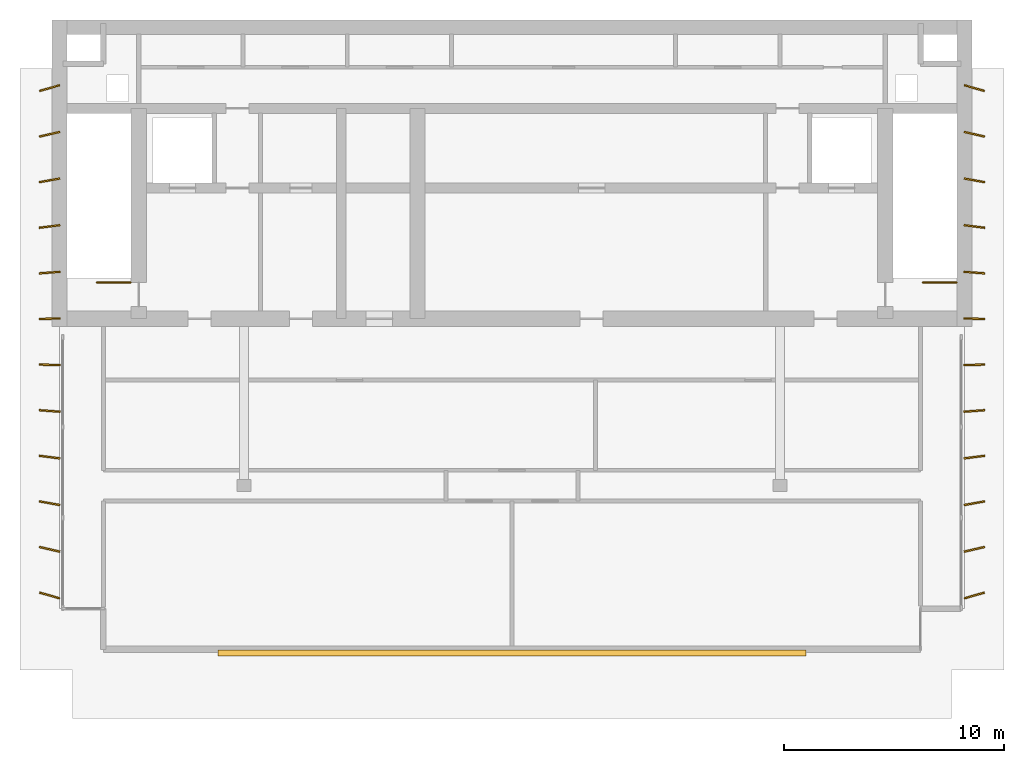
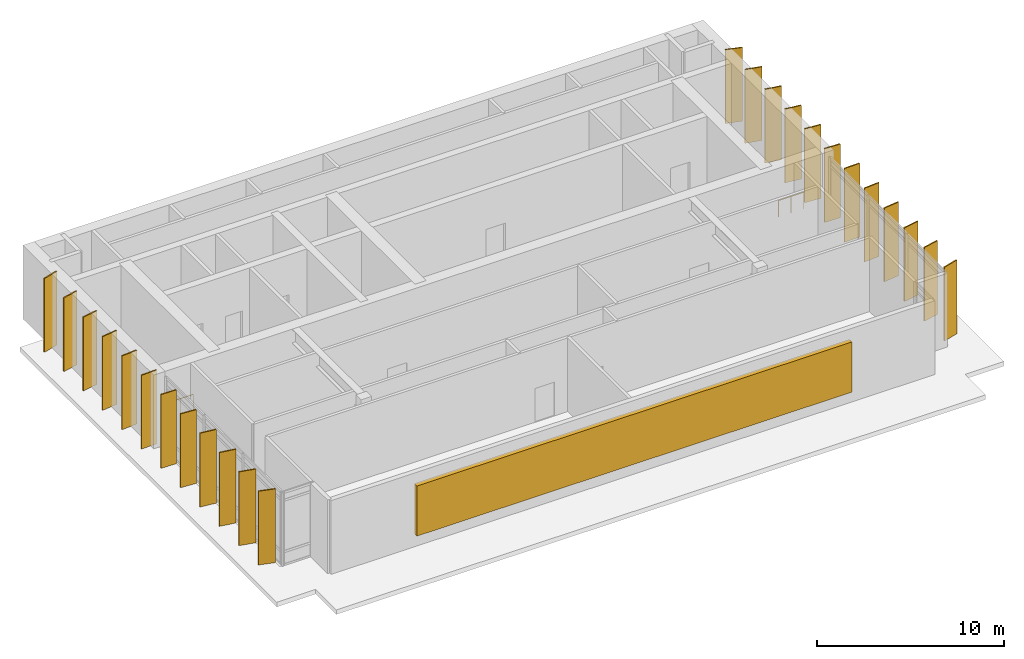
# One storey, part 5 of 5: 25 shading devices, 2 railings.
"""IFC4 building model written with IfcOpenShell, lengths in metres."""

from ifc_helpers import new_model, si_unit, direction, frame, origin, origin_2d, place, context, subcontext, project, spatial, rectangle, circle, extrude, material, layer, layer_set, material_profile, profile_set, type_object, element, save


model = new_model("IFC4")

# Units and contexts
model_context = context("Model", 3, precision=1e-05, world=origin(), true_north=direction((0.0, 1.0)))
body_context = subcontext(model_context, "Body", "Model", "MODEL_VIEW")
ifc_project = project(units=[si_unit("LENGTHUNIT", "METRE"), si_unit("AREAUNIT", "SQUARE_METRE"), si_unit("VOLUMEUNIT", "CUBIC_METRE"), si_unit("PLANEANGLEUNIT", "RADIAN"), si_unit("MASSUNIT", "GRAM", prefix="KILO")], contexts=[model_context])

# Site, building, storey
site_placement = place(None, origin())
site = spatial("IfcSite", under=ifc_project, at=site_placement, CompositionType="ELEMENT")
building_placement = place(site_placement, origin())
building = spatial("IfcBuilding", under=site, at=building_placement, Name="Caelmar Bay Residences", CompositionType="ELEMENT")
storey_placement = place(building_placement, frame((0.0, 0.0, 300.39990234375)))
storey = spatial("IfcBuildingStorey", under=building, at=storey_placement, Name="L82", CompositionType="ELEMENT", Elevation=300.39990234375)

# Railings
ifc_material_1 = material(Name="Painted galvanized steel stair guard 1100 mm", Category="steel")
railing_type = type_object("IfcRailingType", Name="RL-GRD-1100", PredefinedType="GUARDRAIL", material=ifc_material_1)
railing_1_placement = place(storey_placement, frame((21.550048828125, 38.64990234375, 0.0)))
element("IfcRailing", 1, at=railing_1_placement, inside=storey, type_object=railing_type, Name="L82 ST1 top well guard 1", PredefinedType="GUARDRAIL", context=body_context, shape_type="SweptSolid", body=[
    extrude(circle(Radius=0.02392578125, at=origin_2d()), frame((0.0, 0.0, 1.076171875), z_axis=(-1.0, 0.0, 0.0), x_axis=(0.0, -1.0, 0.0)), (0.0, 0.0, 1.0), 1.550048828125),
    extrude(circle(Radius=0.02099609375, at=origin_2d()), origin(), (0.0, 0.0, 1.0), 1.052001953125),
    extrude(circle(Radius=0.02099609375, at=origin_2d()), frame((-0.77490234375, 0.0, 0.0)), (0.0, 0.0, 1.0), 1.052001953125),
    extrude(circle(Radius=0.02099609375, at=origin_2d()), frame((-1.550048828125, 0.0, 0.0)), (0.0, 0.0, 1.0), 1.052001953125),
])
railing_2_placement = place(storey_placement, frame((59.14990234375, 38.64990234375, 0.0)))
element("IfcRailing", 2, at=railing_2_placement, inside=storey, type_object=railing_type, Name="L82 ST2 top well guard 1", PredefinedType="GUARDRAIL", context=body_context, shape_type="SweptSolid", body=[
    extrude(circle(Radius=0.02392578125, at=origin_2d()), frame((0.0, 0.0, 1.076171875), z_axis=(-1.0, 0.0, 0.0), x_axis=(0.0, -1.0, 0.0)), (0.0, 0.0, 1.0), 1.5498046875),
    extrude(circle(Radius=0.02099609375, at=origin_2d()), origin(), (0.0, 0.0, 1.0), 1.052001953125),
    extrude(circle(Radius=0.02099609375, at=origin_2d()), frame((-0.77490234375, 0.0, 0.0)), (0.0, 0.0, 1.0), 1.052001953125),
    extrude(circle(Radius=0.02099609375, at=origin_2d()), frame((-1.5498046875, 0.0, 0.0)), (0.0, 0.0, 1.0), 1.052001953125),
])

# Shading devices
ifc_material_2 = material(Name="Anodised architectural bronze aluminium 6063-T6", Category="aluminium")
ifc_material_profile = material_profile(ifc_material_2, rectangle(XDim=0.074951171875, YDim=0.949951171875, at=origin_2d()), Name="BRONZE-FIN-75X950")
ifc_profile_set = profile_set([ifc_material_profile], Name="Anodised architectural bronze aluminium 6063-T6")
shading_device_type_1 = type_object("IfcShadingDeviceType", Name="SHD-FIN-950", PredefinedType="USERDEFINED", material=ifc_profile_set)
for number, where, z_axis, x_axis, name in (
    (3, (17.85009765625, 24.39990234375, 0.0), (0.0, 0.0, 1.0), (0.275637355817, 0.961261695938, 0.0), "L82 West Bronze Solar Fin 1"),
    (4, (59.949951171875, 24.39990234375, 0.0), (0.0, 0.0, 1.0), (-0.275637355817, 0.961261695938, 0.0), "L82 East Bronze Solar Fin 1"),
    (5, (17.85009765625, 26.5, 0.0), (0.0, 0.0, 1.0), (0.226481313111, 0.97401551056, 0.0), "L82 West Bronze Solar Fin 2"),
    (6, (59.949951171875, 26.5, 0.0), (0.0, 0.0, 1.0), (-0.226481313111, 0.97401551056, 0.0), "L82 East Bronze Solar Fin 2"),
    (7, (17.85009765625, 28.60009765625, 0.0), (0.0, 0.0, 1.0), (0.176741180461, 0.984257362243, 0.0), "L82 West Bronze Solar Fin 3"),
    (8, (59.949951171875, 28.60009765625, 0.0), (0.0, 0.0, 1.0), (-0.176741180461, 0.984257362243, 0.0), "L82 East Bronze Solar Fin 3"),
    (9, (17.85009765625, 30.699951171875, 0.0), (0.0, 0.0, 1.0), (0.126545236492, 0.991960837494, 0.0), "L82 West Bronze Solar Fin 4"),
    (10, (59.949951171875, 30.699951171875, 0.0), (0.0, 0.0, 1.0), (-0.126545236492, 0.991960837494, 0.0), "L82 East Bronze Solar Fin 4"),
    (11, (17.85009765625, 32.800048828125, 0.0), (0.0, 0.0, 1.0), (0.076022935354, 0.997106069232, 0.0), "L82 West Bronze Solar Fin 5"),
    (12, (59.949951171875, 32.800048828125, 0.0), (0.0, 0.0, 1.0), (-0.076022935354, 0.997106069232, 0.0), "L82 East Bronze Solar Fin 5"),
    (13, (17.85009765625, 34.89990234375, 0.0), (0.0, 0.0, 1.0), (0.025304572866, 0.999679788028, 0.0), "L82 West Bronze Solar Fin 6"),
    (14, (59.949951171875, 34.89990234375, 0.0), (0.0, 0.0, 1.0), (-0.025304572866, 0.999679788028, 0.0), "L82 East Bronze Solar Fin 6"),
    (15, (17.85009765625, 37.0, 0.0), (0.0, 0.0, 1.0), (-0.025304572866, 0.999679788028, 0.0), "L82 West Bronze Solar Fin 7"),
    (16, (59.949951171875, 37.0, 0.0), (0.0, 0.0, 1.0), (0.025304572866, 0.999679788028, 0.0), "L82 East Bronze Solar Fin 7"),
    (17, (17.85009765625, 39.10009765625, 0.0), (0.0, 0.0, 1.0), (-0.076022935354, 0.997106069232, 0.0), "L82 West Bronze Solar Fin 8"),
    (18, (59.949951171875, 39.10009765625, 0.0), (0.0, 0.0, 1.0), (0.076022935354, 0.997106069232, 0.0), "L82 East Bronze Solar Fin 8"),
    (19, (17.85009765625, 41.199951171875, 0.0), (0.0, 0.0, 1.0), (-0.126545236492, 0.991960837494, 0.0), "L82 West Bronze Solar Fin 9"),
    (20, (59.949951171875, 41.199951171875, 0.0), (0.0, 0.0, 1.0), (0.126545236492, 0.991960837494, 0.0), "L82 East Bronze Solar Fin 9"),
    (21, (17.85009765625, 43.300048828125, 0.0), (0.0, 0.0, 1.0), (-0.176741180461, 0.984257362243, 0.0), "L82 West Bronze Solar Fin 10"),
    (22, (59.949951171875, 43.300048828125, 0.0), (0.0, 0.0, 1.0), (0.176741180461, 0.984257362243, 0.0), "L82 East Bronze Solar Fin 10"),
    (23, (17.85009765625, 45.39990234375, 0.0), (0.0, 0.0, 1.0), (-0.226481313111, 0.97401551056, 0.0), "L82 West Bronze Solar Fin 11"),
    (24, (59.949951171875, 45.39990234375, 0.0), (0.0, 0.0, 1.0), (0.226481313111, 0.97401551056, 0.0), "L82 East Bronze Solar Fin 11"),
    (25, (17.85009765625, 47.5, 0.0), (0.0, 0.0, 1.0), (-0.275637355817, 0.961261695938, 0.0), "L82 West Bronze Solar Fin 12"),
    (26, (59.949951171875, 47.5, 0.0), (0.0, 0.0, 1.0), (0.275637355817, 0.961261695938, 0.0), "L82 East Bronze Solar Fin 12"),
):
    element("IfcShadingDevice", number, at=place(storey_placement, frame(where, z_axis=z_axis, x_axis=x_axis)), inside=storey, type_object=shading_device_type_1, Name=name, ObjectType="FIN", PredefinedType="USERDEFINED", context=body_context, shape_type="SweptSolid", body=[
        extrude(rectangle(XDim=0.074951171875, YDim=0.949951171875, at=origin_2d()), origin(), (0.0, 0.0, 1.0), 4.800048828125),
    ])
ifc_layer = layer(ifc_material_2, 0.219970703125)
ifc_layer_set = layer_set([ifc_layer], Name="Anodised architectural bronze aluminium 6063-T6")
shading_device_type_2 = type_object("IfcShadingDeviceType", Name="SHD-LVR-300", PredefinedType="JALOUSIE", material=ifc_layer_set)
shading_device_placement = place(storey_placement, frame((38.89990234375, 21.780029296875, 0.76806640625), z_axis=(0.0, 0.0, 1.0), x_axis=(1.0, 0.0, 0.0)))
element("IfcShadingDevice", 27, at=shading_device_placement, inside=storey, type_object=shading_device_type_2, Name="L82 South Acoustic Storm Louvre", PredefinedType="JALOUSIE", context=body_context, shape_type="SweptSolid", body=[
    extrude(rectangle(XDim=26.783935546875, YDim=0.280029296875, at=origin_2d()), origin(), (0.0, 0.0, 1.0), 3.263916015625),
])

save(model, "model.ifc")
